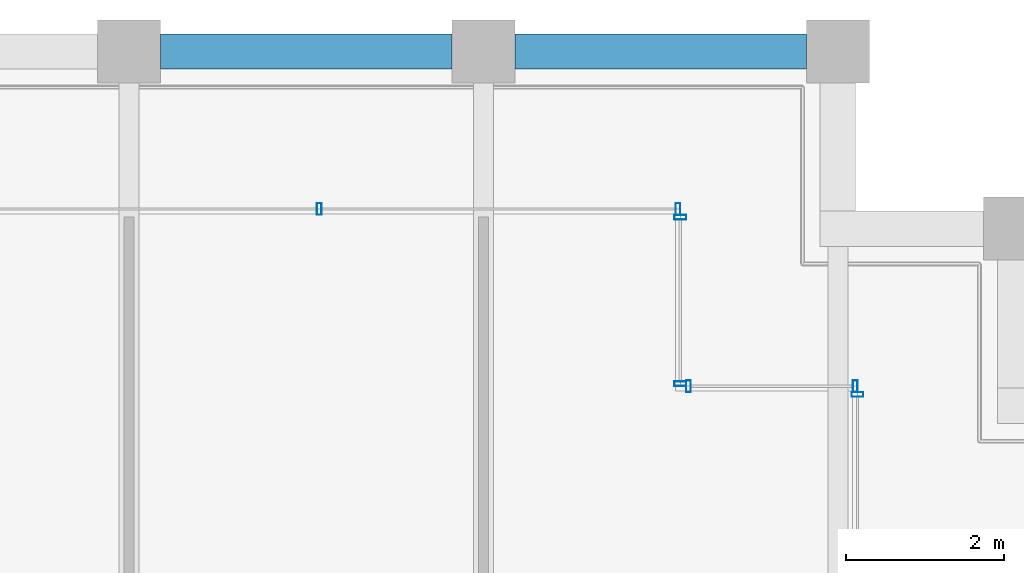
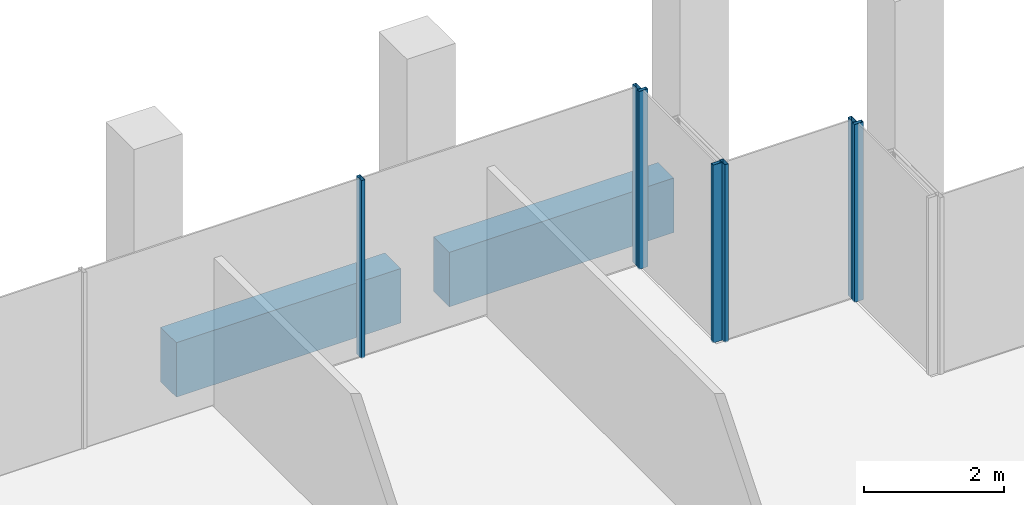
# One storey, part 26 of 30: 7 members, 2 beams, 4 elements without a shape of their own.
"""IFC4 building model written with IfcOpenShell, lengths in metres."""

from ifc_helpers import new_model, si_unit, direction, frame, origin, origin_2d, place, context, subcontext, project, spatial, rectangle, hollow_rectangle, extrude, material, material_profile, profile_set, type_object, element, aggregate, save


model = new_model("IFC4")

# Units and contexts
model_context = context("Model", 3, precision=1e-05, world=origin(), true_north=direction((0.0, 1.0)))
body_context = subcontext(model_context, "Body", "Model", "MODEL_VIEW")
ifc_project = project(units=[si_unit("LENGTHUNIT", "METRE"), si_unit("AREAUNIT", "SQUARE_METRE"), si_unit("VOLUMEUNIT", "CUBIC_METRE"), si_unit("PLANEANGLEUNIT", "RADIAN"), si_unit("MASSUNIT", "GRAM", prefix="KILO")], contexts=[model_context])

# Site, building, storey
site_placement = place(None, origin())
site = spatial("IfcSite", under=ifc_project, at=site_placement, CompositionType="ELEMENT")
building_placement = place(site_placement, origin())
building = spatial("IfcBuilding", under=site, at=building_placement, Name="Altepetl Exchange Towers", CompositionType="ELEMENT")
storey_placement = place(building_placement, frame((0.0, 0.0, 242.39990234375)))
storey = spatial("IfcBuildingStorey", under=building, at=storey_placement, Name="L62", CompositionType="ELEMENT", Elevation=242.39990234375)

# Curtain wall, member
ifc_material_1 = material(Name="Aluminium 6063-T6 glazing", Category="aluminium")
curtain_wall_type = type_object("IfcCurtainWallType", Name="Loggia glazing system", PredefinedType="NOTDEFINED", material=ifc_material_1)
curtain_wall_1_placement = place(storey_placement, origin())
curtain_wall_1 = element("IfcCurtainWall", 1, at=curtain_wall_1_placement, inside=storey, type_object=curtain_wall_type, Name="CW1 run", PredefinedType="NOTDEFINED")
ifc_material_2 = material(Name="Aluminium 6063-T6", Category="aluminium")
ifc_material_profile_1 = material_profile(ifc_material_2, hollow_rectangle(XDim=0.06005859375, YDim=0.14990234375, WallThickness=0.0029296875, at=origin_2d()), Name="Mullion 60x150 aluminium")
ifc_profile_set_1 = profile_set([ifc_material_profile_1], Name="Aluminium 6063-T6")
member_type = type_object("IfcMemberType", Name="Mullion 60x150 aluminium", PredefinedType="MULLION", material=ifc_profile_set_1)
member_1_placement = place(storey_placement, frame((67.75, 67.64501953125, 0.0), z_axis=(0.0, 0.0, 1.0), x_axis=(0.0, 1.0, 0.0)))
member_1 = element("IfcMember", 2, at=member_1_placement, type_object=member_type, Name="MU1 mullion", PredefinedType="MULLION", context=body_context, shape_type="SweptSolid", body=[
    extrude(hollow_rectangle(XDim=0.06005859375, YDim=0.14990234375, WallThickness=0.0029296875, at=origin_2d()), origin(), (0.0, 0.0, 1.0), 3.10009765625),
])
aggregate(curtain_wall_1, [member_1])

# Curtain wall, members
curtain_wall_2_placement = place(storey_placement, origin())
curtain_wall_2 = element("IfcCurtainWall", 3, at=curtain_wall_2_placement, inside=storey, type_object=curtain_wall_type, Name="CW1 run", PredefinedType="NOTDEFINED")
member_2_placement = place(storey_placement, frame((67.719970703125, 67.75, 0.0), z_axis=(0.0, 0.0, 1.0), x_axis=(-1.0, 0.0, 0.0)))
member_2 = element("IfcMember", 4, at=member_2_placement, type_object=member_type, Name="MU1 mullion", PredefinedType="MULLION", context=body_context, shape_type="SweptSolid", body=[
    extrude(hollow_rectangle(XDim=0.06005859375, YDim=0.14990234375, WallThickness=0.0029296875, at=origin_2d()), origin(), (0.0, 0.0, 1.0), 3.10009765625),
])
member_3_placement = place(storey_placement, frame((65.60498046875, 67.75, 0.0), z_axis=(0.0, 0.0, 1.0), x_axis=(-1.0, 0.0, 0.0)))
member_3 = element("IfcMember", 5, at=member_3_placement, type_object=member_type, Name="MU1 mullion", PredefinedType="MULLION", context=body_context, shape_type="SweptSolid", body=[
    extrude(hollow_rectangle(XDim=0.06005859375, YDim=0.14990234375, WallThickness=0.0029296875, at=origin_2d()), origin(), (0.0, 0.0, 1.0), 3.10009765625),
])
aggregate(curtain_wall_2, [member_2, member_3])

curtain_wall_3_placement = place(storey_placement, origin())
curtain_wall_3 = element("IfcCurtainWall", 6, at=curtain_wall_3_placement, inside=storey, type_object=curtain_wall_type, Name="CW1 run", PredefinedType="NOTDEFINED")
member_4_placement = place(storey_placement, frame((65.5, 67.780029296875, 0.0), z_axis=(0.0, 0.0, 1.0), x_axis=(0.0, 1.0, 0.0)))
member_4 = element("IfcMember", 7, at=member_4_placement, type_object=member_type, Name="MU1 mullion", PredefinedType="MULLION", context=body_context, shape_type="SweptSolid", body=[
    extrude(hollow_rectangle(XDim=0.06005859375, YDim=0.14990234375, WallThickness=0.0029296875, at=origin_2d()), origin(), (0.0, 0.0, 1.0), 3.10009765625),
])
member_5_placement = place(storey_placement, frame((65.5, 69.89501953125, 0.0), z_axis=(0.0, 0.0, 1.0), x_axis=(0.0, 1.0, 0.0)))
member_5 = element("IfcMember", 8, at=member_5_placement, type_object=member_type, Name="MU1 mullion", PredefinedType="MULLION", context=body_context, shape_type="SweptSolid", body=[
    extrude(hollow_rectangle(XDim=0.06005859375, YDim=0.14990234375, WallThickness=0.0029296875, at=origin_2d()), origin(), (0.0, 0.0, 1.0), 3.10009765625),
])
aggregate(curtain_wall_3, [member_4, member_5])

curtain_wall_4_placement = place(storey_placement, origin())
curtain_wall_4 = element("IfcCurtainWall", 9, at=curtain_wall_4_placement, inside=storey, type_object=curtain_wall_type, Name="CW1 run", PredefinedType="NOTDEFINED")
member_6_placement = place(storey_placement, frame((65.469970703125, 70.0, 0.0), z_axis=(0.0, 0.0, 1.0), x_axis=(-1.0, 0.0, 0.0)))
member_6 = element("IfcMember", 10, at=member_6_placement, type_object=member_type, Name="MU1 mullion", PredefinedType="MULLION", context=body_context, shape_type="SweptSolid", body=[
    extrude(hollow_rectangle(XDim=0.06005859375, YDim=0.14990234375, WallThickness=0.0029296875, at=origin_2d()), origin(), (0.0, 0.0, 1.0), 3.10009765625),
])
member_7_placement = place(storey_placement, frame((60.9150390625, 70.0, 0.0), z_axis=(0.0, 0.0, 1.0), x_axis=(-1.0, 0.0, 0.0)))
member_7 = element("IfcMember", 11, at=member_7_placement, type_object=member_type, Name="MU1 mullion", PredefinedType="MULLION", context=body_context, shape_type="SweptSolid", body=[
    extrude(hollow_rectangle(XDim=0.06005859375, YDim=0.14990234375, WallThickness=0.0029296875, at=origin_2d()), origin(), (0.0, 0.0, 1.0), 3.10009765625),
])
aggregate(curtain_wall_4, [member_6, member_7])

# Beams
ifc_material_3 = material(Name="Concrete C50/60 precast with cantera rosa facing", Category="concrete")
ifc_material_profile_2 = material_profile(ifc_material_3, rectangle(XDim=0.449951171875, YDim=0.949951171875, at=origin_2d()), Name="450 x 950")
ifc_profile_set_2 = profile_set([ifc_material_profile_2], Name="Concrete C50/60 precast with cantera rosa facing")
beam_type = type_object("IfcBeamType", Name="Spandrel beam 450x950 cantera rosa", PredefinedType="SPANDREL", material=ifc_profile_set_2)
for number, where, z_axis, x_axis, name in (
    (12, (67.10009765625, 72.0, -0.625), (-1.0, 0.0, 0.0), (0.0, -1.0, 0.0), "sp:A:L62:024"),
    (13, (62.60009765625, 72.0, -0.625), (-1.0, 0.0, 0.0), (0.0, -1.0, 0.0), "sp:A:L62:025"),
):
    element("IfcBeam", number, at=place(storey_placement, frame(where, z_axis=z_axis, x_axis=x_axis)), inside=storey, type_object=beam_type, Name=name, PredefinedType="SPANDREL", context=body_context, shape_type="SweptSolid", body=[
        extrude(rectangle(XDim=0.449951171875, YDim=0.949951171875, at=origin_2d()), origin(), (0.0, 0.0, 1.0), 3.7001953125),
    ])

save(model, "model.ifc")
